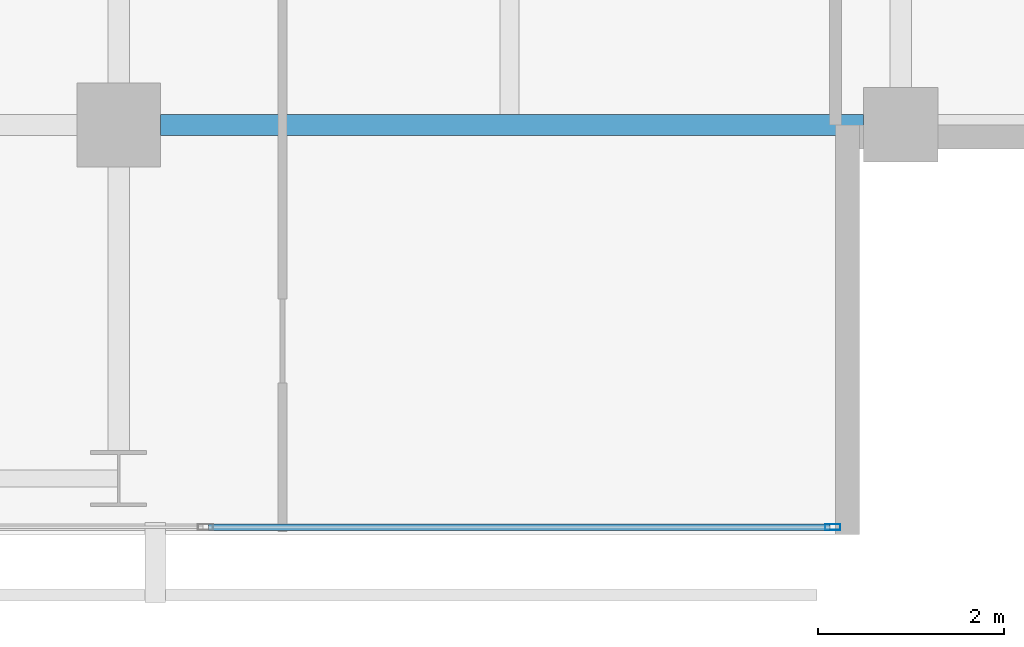
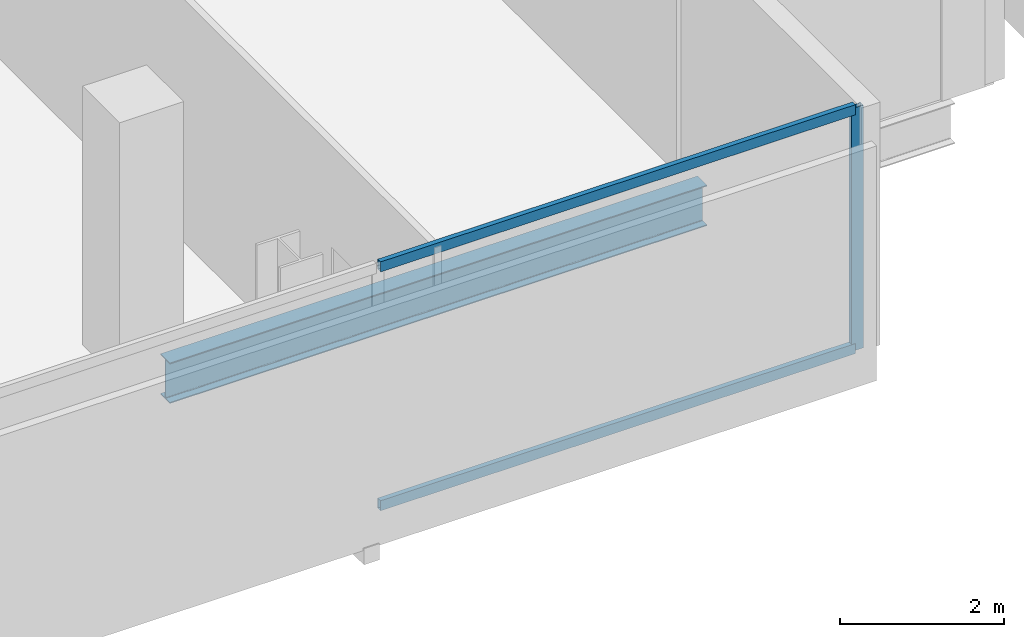
# One storey, part 13 of 32: 3 members, 1 beam, 1 element without a shape of its own.
"""IFC4 building model written with IfcOpenShell, lengths in metres."""

from ifc_helpers import new_model, si_unit, direction, frame, origin, origin_2d, place, context, subcontext, project, spatial, hollow_rectangle, i_section, extrude, material, layer, layer_set, material_profile, profile_set, type_object, element, aggregate, save


model = new_model("IFC4")

# Units and contexts
model_context = context("Model", 3, precision=1e-05, world=origin(), true_north=direction((0.0, 1.0)))
body_context = subcontext(model_context, "Body", "Model", "MODEL_VIEW")
ifc_project = project(units=[si_unit("LENGTHUNIT", "METRE"), si_unit("AREAUNIT", "SQUARE_METRE"), si_unit("VOLUMEUNIT", "CUBIC_METRE"), si_unit("PLANEANGLEUNIT", "RADIAN"), si_unit("MASSUNIT", "GRAM", prefix="KILO")], contexts=[model_context])

# Site, building, storey
site_placement = place(None, origin())
site = spatial("IfcSite", under=ifc_project, at=site_placement, CompositionType="ELEMENT")
building_placement = place(site_placement, origin())
building = spatial("IfcBuilding", under=site, at=building_placement, Name="Maruvema Waterfront Hotel and Observation Tower", CompositionType="ELEMENT")
storey_placement = place(building_placement, frame((0.0, 0.0, 165.89990234375)))
storey = spatial("IfcBuildingStorey", under=building, at=storey_placement, Name="L40", CompositionType="ELEMENT", Elevation=165.89990234375)

# Curtain wall, members
ifc_material_1 = material(Name="Anodised bronze aluminium and solar-control low-E IGU", Category="aluminium")
ifc_layer = layer(ifc_material_1, 0.159912109375, Name="Zone 2 Amber Inner Thermal Curtain Wall System CW-03")
ifc_layer_set = layer_set([ifc_layer], Name="Anodised bronze aluminium and solar-control low-E IGU")
curtain_wall_type = type_object("IfcCurtainWallType", Name="Zone 2 Amber Inner Thermal Curtain Wall System CW-03", PredefinedType="USERDEFINED", material=ifc_layer_set)
curtain_wall_placement = place(storey_placement, origin())
curtain_wall = element("IfcCurtainWall", 1, at=curtain_wall_placement, inside=storey, type_object=curtain_wall_type, Name="L40 Curtain Wall CW-L40-S", ObjectType="UNITISED CURTAIN WALL", PredefinedType="USERDEFINED")
ifc_material_2 = material(Name="Anodised architectural bronze aluminium", Category="aluminium")
ifc_material_profile_1 = material_profile(ifc_material_2, hollow_rectangle(XDim=0.070068359375, YDim=0.14990234375, WallThickness=0.00390625, at=origin_2d()), Name="ALU-T70x150")
ifc_profile_set_1 = profile_set([ifc_material_profile_1], Name="Anodised architectural bronze aluminium")
member_type_1 = type_object("IfcMemberType", Name="Curtain Wall Horizontal Transom ALU-T70x150", PredefinedType="USERDEFINED", material=ifc_profile_set_1)
member_1_placement = place(storey_placement, frame((51.36328125, 4.679931640625, 0.030029296875), z_axis=(1.0, 0.0, 0.0), x_axis=(0.0, 1.0, 0.0)))
member_1 = element("IfcMember", 2, at=member_1_placement, type_object=member_type_1, Name="CW-03 transom 6.1", ObjectType="TRANSOM", PredefinedType="USERDEFINED", context=body_context, shape_type="SweptSolid", body=[
    extrude(hollow_rectangle(XDim=0.070068359375, YDim=0.14990234375, WallThickness=0.00390625, at=origin_2d()), origin(), (0.0, 0.0, 1.0), 6.6767578125),
])
member_2_placement = place(storey_placement, frame((51.36328125, 4.679931640625, 3.580078125), z_axis=(1.0, 0.0, 0.0), x_axis=(0.0, 1.0, 0.0)))
member_2 = element("IfcMember", 3, at=member_2_placement, type_object=member_type_1, Name="CW-03 transom 6.2", ObjectType="TRANSOM", PredefinedType="USERDEFINED", context=body_context, shape_type="SweptSolid", body=[
    extrude(hollow_rectangle(XDim=0.070068359375, YDim=0.14990234375, WallThickness=0.00390625, at=origin_2d()), origin(), (0.0, 0.0, 1.0), 6.6767578125),
])
ifc_material_3 = material(Name="Anodised architectural bronze aluminium", Category="aluminium")
ifc_material_profile_2 = material_profile(ifc_material_3, hollow_rectangle(XDim=0.06494140625, YDim=0.1650390625, WallThickness=0.00390625, at=origin_2d()), Name="ALU-M65x165")
ifc_profile_set_2 = profile_set([ifc_material_profile_2], Name="Anodised architectural bronze aluminium")
member_type_2 = type_object("IfcMemberType", Name="Curtain Wall Primary Mullion ALU-M65x165", PredefinedType="MULLION", material=ifc_profile_set_2)
member_3_placement = place(storey_placement, frame((58.070068359375, 4.679931640625, 0.0), z_axis=(0.0, 0.0, 1.0), x_axis=(0.0, 1.0, 0.0)))
member_3 = element("IfcMember", 4, at=member_3_placement, type_object=member_type_2, Name="CW-03 mullion 7", PredefinedType="MULLION", context=body_context, shape_type="SweptSolid", body=[
    extrude(hollow_rectangle(XDim=0.06494140625, YDim=0.1650390625, WallThickness=0.00390625, at=origin_2d()), origin(), (0.0, 0.0, 1.0), 3.610107421875),
])
aggregate(curtain_wall, [member_3, member_1, member_2])

# Beam
ifc_material_4 = material(Name="Steel ASTM A572 Grade 50", Category="steel")
ifc_material_profile_3 = material_profile(ifc_material_4, i_section(OverallWidth=0.22802734375, OverallDepth=0.60302734375, WebThickness=0.010498046875, FlangeThickness=0.014892578125, FilletRadius=0.01806640625, at=origin_2d()), Name="W610x101.0")
ifc_profile_set_3 = profile_set([ifc_material_profile_3], Name="Steel ASTM A572 Grade 50")
beam_type = type_object("IfcBeamType", Name="Primary Floor Girder W610x101.0", PredefinedType="BEAM", material=ifc_profile_set_3)
beam_placement = place(storey_placement, frame((50.85009765625, 9.0, -0.54150390625), z_axis=(1.0, 0.0, 0.0), x_axis=(0.0, 1.0, 0.0)))
element("IfcBeam", 5, at=beam_placement, inside=storey, type_object=beam_type, Name="L40 Floor Girder EW-09", PredefinedType="BEAM", context=body_context, shape_type="SweptSolid", body=[
    extrude(i_section(OverallWidth=0.22802734375, OverallDepth=0.60302734375, WebThickness=0.010498046875, FlangeThickness=0.014892578125, FilletRadius=0.01806640625, at=origin_2d()), origin(), (0.0, 0.0, 1.0), 7.5498046875),
])

save(model, "model.ifc")
